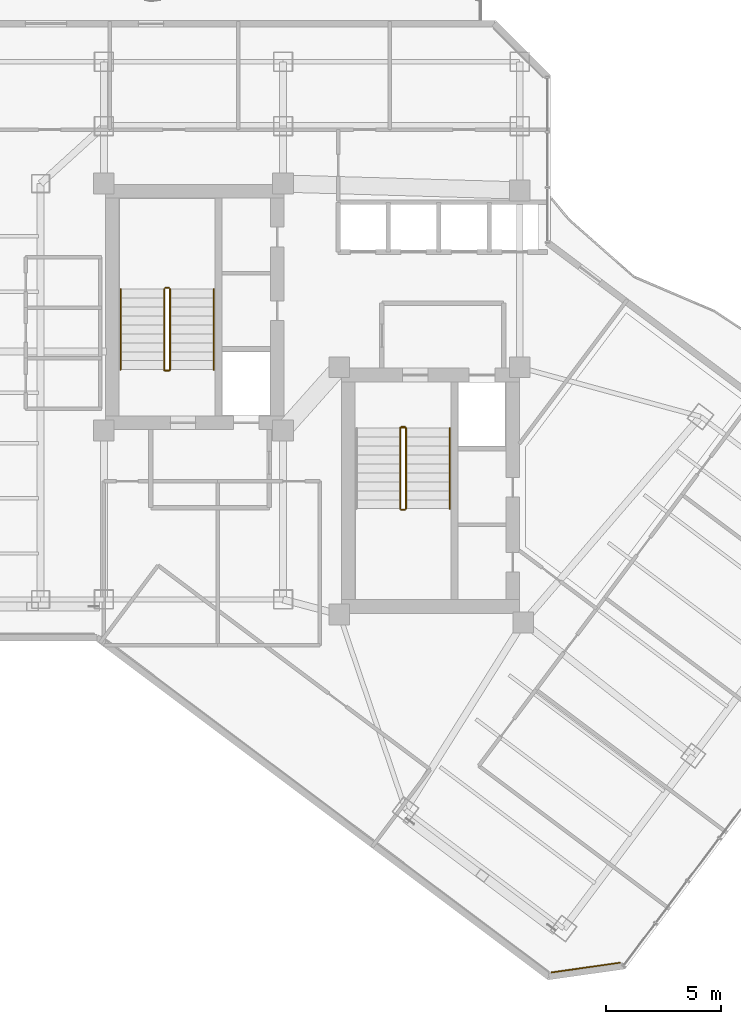
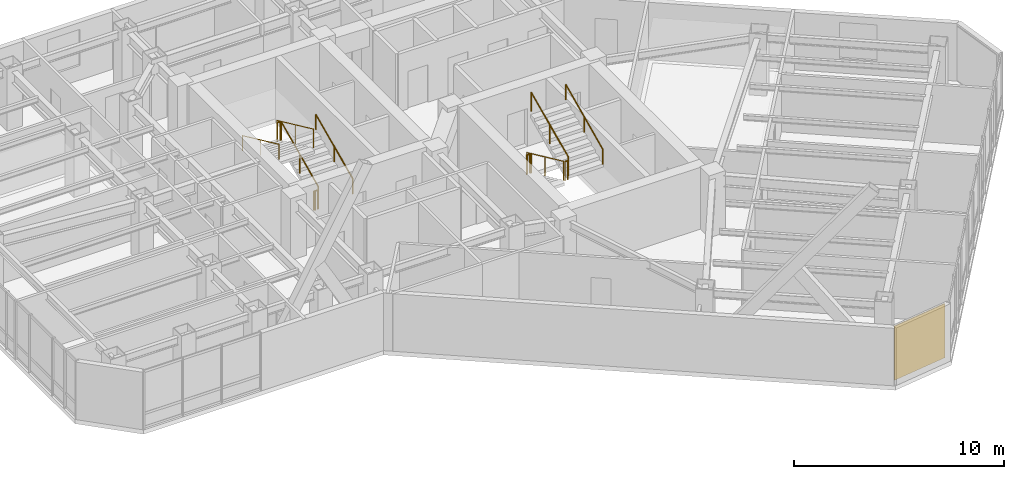
# One storey, part 26 of 27: 13 railings, 1 covering.
"""IFC4 building model written with IfcOpenShell, lengths in metres."""

from ifc_helpers import new_model, si_unit, direction, frame, origin, origin_2d, place, context, subcontext, project, spatial, rectangle, circle, extrude, material, layer, layer_set, type_object, element, save


model = new_model("IFC4")

# Units and contexts
model_context = context("Model", 3, precision=1e-05, world=origin(), true_north=direction((0.0, 1.0)))
body_context = subcontext(model_context, "Body", "Model", "MODEL_VIEW")
ifc_project = project(units=[si_unit("LENGTHUNIT", "METRE"), si_unit("AREAUNIT", "SQUARE_METRE"), si_unit("VOLUMEUNIT", "CUBIC_METRE"), si_unit("PLANEANGLEUNIT", "RADIAN"), si_unit("MASSUNIT", "GRAM", prefix="KILO")], contexts=[model_context])

# Site, building, storey
site_placement = place(None, origin())
site = spatial("IfcSite", under=ifc_project, at=site_placement, CompositionType="ELEMENT")
building_placement = place(site_placement, origin())
building = spatial("IfcBuilding", under=site, at=building_placement, Name="Hatsunagi Terrace Concourse", CompositionType="ELEMENT")
storey_placement = place(building_placement, frame((0.0, 0.0, 145.64990234375)))
storey = spatial("IfcBuildingStorey", under=building, at=storey_placement, Name="L38", CompositionType="ELEMENT", Elevation=145.64990234375)

# Railings
ifc_material_1 = material(Name="Stainless steel", Category="steel")
ifc_layer_1 = layer(ifc_material_1, 0.044921875)
ifc_layer_set_1 = layer_set([ifc_layer_1], Name="StairPitchHandrail_Tower2000")
railing_type_1 = type_object("IfcRailingType", Name="StairPitchHandrail_Tower2000", PredefinedType="HANDRAIL", material=ifc_layer_set_1)
railing_1_placement = place(storey_placement, frame((30.330078125, 35.199951171875, 0.18017578125)))
element("IfcRailing", 1, at=railing_1_placement, inside=storey, type_object=railing_type_1, Name="L38 ST-A stair handrail 1", PredefinedType="HANDRAIL", context=body_context, shape_type="SweptSolid", body=[
    extrude(circle(Radius=0.02392578125, at=origin_2d()), frame((0.0, 0.0, 0.8759765625), z_axis=(0.0, 0.907972323039, 0.419030142823), x_axis=(-1.0, 0.0, 0.0)), (0.0, 0.0, 1.0), 3.86572265625),
    extrude(circle(Radius=0.02099609375, at=origin_2d()), origin(), (0.0, 0.0, 1.0), 0.851806640625),
    extrude(circle(Radius=0.02099609375, at=origin_2d()), frame((0.0, 1.7548828125, 0.81005859375)), (0.0, 0.0, 1.0), 0.851806640625),
    extrude(circle(Radius=0.02099609375, at=origin_2d()), frame((0.0, 3.510009765625, 1.619873046875)), (0.0, 0.0, 1.0), 0.851806640625),
])
railing_2_placement = place(storey_placement, frame((26.280029296875, 38.7099609375, 1.97998046875)))
element("IfcRailing", 2, at=railing_2_placement, inside=storey, type_object=railing_type_1, Name="L38 ST-A stair handrail 2", PredefinedType="HANDRAIL", context=body_context, shape_type="SweptSolid", body=[
    extrude(circle(Radius=0.02392578125, at=origin_2d()), frame((0.0, 0.0, 0.8759765625), z_axis=(0.0, -0.907948293929, 0.419082206198), x_axis=(1.0, 0.0, 0.0)), (0.0, 0.0, 1.0), 3.865966796875),
    extrude(circle(Radius=0.02099609375, at=origin_2d()), origin(), (0.0, 0.0, 1.0), 0.851806640625),
    extrude(circle(Radius=0.02099609375, at=origin_2d()), frame((0.0, -1.7548828125, 0.81005859375)), (0.0, 0.0, 1.0), 0.851806640625),
    extrude(circle(Radius=0.02099609375, at=origin_2d()), frame((0.0, -3.510009765625, 1.6201171875)), (0.0, 0.0, 1.0), 0.851806640625),
])
railing_3_placement = place(storey_placement, frame((40.60009765625, 29.14990234375, 1.97998046875)))
element("IfcRailing", 3, at=railing_3_placement, inside=storey, type_object=railing_type_1, Name="L38 ST-B stair handrail 2", PredefinedType="HANDRAIL", context=body_context, shape_type="SweptSolid", body=[
    extrude(circle(Radius=0.02392578125, at=origin_2d()), frame((0.0, 0.0, 0.8759765625), z_axis=(0.0, 0.907948293929, 0.419082206198), x_axis=(-1.0, 0.0, 0.0)), (0.0, 0.0, 1.0), 3.865966796875),
    extrude(circle(Radius=0.02099609375, at=origin_2d()), origin(), (0.0, 0.0, 1.0), 0.851806640625),
    extrude(circle(Radius=0.02099609375, at=origin_2d()), frame((0.0, 1.7548828125, 0.81005859375)), (0.0, 0.0, 1.0), 0.851806640625),
    extrude(circle(Radius=0.02099609375, at=origin_2d()), frame((0.0, 3.510009765625, 1.6201171875)), (0.0, 0.0, 1.0), 0.851806640625),
])
ifc_material_2 = material(Name="Stainless steel", Category="steel")
ifc_layer_2 = layer(ifc_material_2, 0.06005859375)
ifc_layer_set_2 = layer_set([ifc_layer_2], Name="StairWellGuard_Tower2000")
railing_type_2 = type_object("IfcRailingType", Name="StairWellGuard_Tower2000", PredefinedType="BALUSTRADE", material=ifc_layer_set_2)
railing_4_placement = place(storey_placement, frame((28.429931640625, 35.199951171875, 0.18017578125)))
element("IfcRailing", 4, at=railing_4_placement, inside=storey, type_object=railing_type_2, Name="L38 ST-A stair guard 1", PredefinedType="BALUSTRADE", context=body_context, shape_type="SweptSolid", body=[
    extrude(circle(Radius=0.02392578125, at=origin_2d()), frame((0.0, 0.0, 1.09619140625), z_axis=(0.0, 0.907972323039, 0.419030142823), x_axis=(-1.0, 0.0, 0.0)), (0.0, 0.0, 1.0), 3.86572265625),
    extrude(circle(Radius=0.02099609375, at=origin_2d()), origin(), (0.0, 0.0, 1.0), 1.072021484375),
    extrude(circle(Radius=0.02099609375, at=origin_2d()), frame((0.0, 1.7548828125, 0.81005859375)), (0.0, 0.0, 1.0), 1.072021484375),
    extrude(circle(Radius=0.02099609375, at=origin_2d()), frame((0.0, 3.510009765625, 1.619873046875)), (0.0, 0.0, 1.0), 1.072021484375),
])
railing_5_placement = place(storey_placement, frame((28.3798828125, 38.760009765625, 1.800048828125)))
element("IfcRailing", 5, at=railing_5_placement, inside=storey, type_object=railing_type_2, Name="L38 ST-A stair guard 2", PredefinedType="BALUSTRADE", context=body_context, shape_type="SweptSolid", body=[
    extrude(circle(Radius=0.02392578125, at=origin_2d()), frame((0.0, 0.0, 1.09619140625), z_axis=(-1.0, 0.0, 0.0), x_axis=(0.0, -1.0, 0.0)), (0.0, 0.0, 1.0), 0.14990234375),
    extrude(circle(Radius=0.02099609375, at=origin_2d()), origin(), (0.0, 0.0, 1.0), 1.072021484375),
    extrude(circle(Radius=0.02099609375, at=origin_2d()), frame((-0.14990234375, 0.0, 0.0)), (0.0, 0.0, 1.0), 1.072021484375),
])
railing_6_placement = place(storey_placement, frame((28.179931640625, 38.7099609375, 1.97998046875)))
element("IfcRailing", 6, at=railing_6_placement, inside=storey, type_object=railing_type_2, Name="L38 ST-A stair guard 3", PredefinedType="BALUSTRADE", context=body_context, shape_type="SweptSolid", body=[
    extrude(circle(Radius=0.02392578125, at=origin_2d()), frame((0.0, 0.0, 1.09619140625), z_axis=(0.0, -0.907948293929, 0.419082206198), x_axis=(1.0, 0.0, 0.0)), (0.0, 0.0, 1.0), 3.865966796875),
    extrude(circle(Radius=0.02099609375, at=origin_2d()), origin(), (0.0, 0.0, 1.0), 1.072021484375),
    extrude(circle(Radius=0.02099609375, at=origin_2d()), frame((0.0, -1.7548828125, 0.81005859375)), (0.0, 0.0, 1.0), 1.072021484375),
    extrude(circle(Radius=0.02099609375, at=origin_2d()), frame((0.0, -3.510009765625, 1.6201171875)), (0.0, 0.0, 1.0), 1.072021484375),
])
railing_7_placement = place(storey_placement, frame((28.3798828125, 35.14990234375, 0.0)))
element("IfcRailing", 7, at=railing_7_placement, inside=storey, type_object=railing_type_2, Name="L38 ST-A stair guard 4", PredefinedType="BALUSTRADE", context=body_context, shape_type="SweptSolid", body=[
    extrude(circle(Radius=0.02392578125, at=origin_2d()), frame((0.0, 0.0, 1.09619140625), z_axis=(-1.0, 0.0, 0.0), x_axis=(0.0, -1.0, 0.0)), (0.0, 0.0, 1.0), 0.14990234375),
    extrude(circle(Radius=0.02099609375, at=origin_2d()), origin(), (0.0, 0.0, 1.0), 1.072021484375),
    extrude(circle(Radius=0.02099609375, at=origin_2d()), frame((-0.14990234375, 0.0, 0.0)), (0.0, 0.0, 1.0), 1.072021484375),
])
railing_8_placement = place(storey_placement, frame((38.449951171875, 32.659912109375, 0.18017578125)))
element("IfcRailing", 8, at=railing_8_placement, inside=storey, type_object=railing_type_2, Name="L38 ST-B stair guard 1", PredefinedType="BALUSTRADE", context=body_context, shape_type="SweptSolid", body=[
    extrude(circle(Radius=0.02392578125, at=origin_2d()), frame((0.0, 0.0, 1.09619140625), z_axis=(0.0, -0.907972323039, 0.419030142823), x_axis=(1.0, 0.0, 0.0)), (0.0, 0.0, 1.0), 3.86572265625),
    extrude(circle(Radius=0.02099609375, at=origin_2d()), origin(), (0.0, 0.0, 1.0), 1.072021484375),
    extrude(circle(Radius=0.02099609375, at=origin_2d()), frame((0.0, -1.7548828125, 0.81005859375)), (0.0, 0.0, 1.0), 1.072021484375),
    extrude(circle(Radius=0.02099609375, at=origin_2d()), frame((0.0, -3.510009765625, 1.619873046875)), (0.0, 0.0, 1.0), 1.072021484375),
])
railing_9_placement = place(storey_placement, frame((38.5, 29.10009765625, 1.800048828125)))
element("IfcRailing", 9, at=railing_9_placement, inside=storey, type_object=railing_type_2, Name="L38 ST-B stair guard 2", PredefinedType="BALUSTRADE", context=body_context, shape_type="SweptSolid", body=[
    extrude(circle(Radius=0.02392578125, at=origin_2d()), frame((0.0, 0.0, 1.09619140625), z_axis=(1.0, 0.0, 0.0), x_axis=(0.0, 1.0, 0.0)), (0.0, 0.0, 1.0), 0.14990234375),
    extrude(circle(Radius=0.02099609375, at=origin_2d()), origin(), (0.0, 0.0, 1.0), 1.072021484375),
    extrude(circle(Radius=0.02099609375, at=origin_2d()), frame((0.14990234375, 0.0, 0.0)), (0.0, 0.0, 1.0), 1.072021484375),
])
railing_10_placement = place(storey_placement, frame((38.699951171875, 29.14990234375, 1.97998046875)))
element("IfcRailing", 10, at=railing_10_placement, inside=storey, type_object=railing_type_2, Name="L38 ST-B stair guard 3", PredefinedType="BALUSTRADE", context=body_context, shape_type="SweptSolid", body=[
    extrude(circle(Radius=0.02392578125, at=origin_2d()), frame((0.0, 0.0, 1.09619140625), z_axis=(0.0, 0.907948293929, 0.419082206198), x_axis=(-1.0, 0.0, 0.0)), (0.0, 0.0, 1.0), 3.865966796875),
    extrude(circle(Radius=0.02099609375, at=origin_2d()), origin(), (0.0, 0.0, 1.0), 1.072021484375),
    extrude(circle(Radius=0.02099609375, at=origin_2d()), frame((0.0, 1.7548828125, 0.81005859375)), (0.0, 0.0, 1.0), 1.072021484375),
    extrude(circle(Radius=0.02099609375, at=origin_2d()), frame((0.0, 3.510009765625, 1.6201171875)), (0.0, 0.0, 1.0), 1.072021484375),
])
railing_11_placement = place(storey_placement, frame((38.5, 32.7099609375, 0.0)))
element("IfcRailing", 11, at=railing_11_placement, inside=storey, type_object=railing_type_2, Name="L38 ST-B stair guard 4", PredefinedType="BALUSTRADE", context=body_context, shape_type="SweptSolid", body=[
    extrude(circle(Radius=0.02392578125, at=origin_2d()), frame((0.0, 0.0, 1.09619140625), z_axis=(1.0, 0.0, 0.0), x_axis=(0.0, 1.0, 0.0)), (0.0, 0.0, 1.0), 0.14990234375),
    extrude(circle(Radius=0.02099609375, at=origin_2d()), origin(), (0.0, 0.0, 1.0), 1.072021484375),
    extrude(circle(Radius=0.02099609375, at=origin_2d()), frame((0.14990234375, 0.0, 0.0)), (0.0, 0.0, 1.0), 1.072021484375),
])
ifc_material_3 = material(Name="Stainless Steel SUS316 Post-and-Rail Guard", Category="steel")
ifc_layer_3 = layer(ifc_material_3, 0.080078125)
ifc_layer_set_3 = layer_set([ifc_layer_3], Name="TerracePlantedGuardRail_1200")
railing_type_3 = type_object("IfcRailingType", Name="TerracePlantedGuardRail_1200", PredefinedType="GUARDRAIL", material=ifc_layer_set_3)
for number, where, name in (
    (12, (28.179931640625, 35.179931640625, 0.0), "Stair ST-A Well Closure Guard L38"),
    (13, (38.449951171875, 32.679931640625, 0.0), "Stair ST-B Well Closure Guard L38"),
):
    element("IfcRailing", number, at=place(storey_placement, frame(where)), inside=storey, type_object=railing_type_3, Name=name, PredefinedType="GUARDRAIL", context=body_context, shape_type="SweptSolid", body=[
        extrude(circle(Radius=0.02392578125, at=origin_2d()), frame((0.0, 0.0, 1.09619140625), z_axis=(1.0, 0.0, 0.0), x_axis=(0.0, 1.0, 0.0)), (0.0, 0.0, 1.0), 0.25),
        extrude(circle(Radius=0.02099609375, at=origin_2d()), origin(), (0.0, 0.0, 1.0), 1.072021484375),
        extrude(circle(Radius=0.02099609375, at=origin_2d()), frame((0.25, 0.0, 0.0)), (0.0, 0.0, 1.0), 1.072021484375),
    ])

# Covering
ifc_material_4 = material(Name="Unglazed Warm Terracotta Rainscreen Tile", Category="masonry")
ifc_layer_4 = layer(ifc_material_4, 0.044921875)
ifc_layer_set_4 = layer_set([ifc_layer_4], Name="TerracottaRainscreenCladding_45")
covering_type = type_object("IfcCoveringType", Name="TerracottaRainscreenCladding_45", PredefinedType="CLADDING", material=ifc_layer_set_4)
covering_placement = place(storey_placement, frame((46.51806640625, 9.178955078125, 0.10009765625), z_axis=(0.0, 0.0, 1.0), x_axis=(-0.989973920543, -0.141250262458, 0.0)))
element("IfcCovering", 14, at=covering_placement, inside=storey, type_object=covering_type, Name="Terracotta Rainscreen Cladding L38-04", PredefinedType="CLADDING", context=body_context, shape_type="SweptSolid", body=[
    extrude(rectangle(XDim=3.0380859375, YDim=0.044921875, at=origin_2d()), origin(), (0.0, 0.0, 1.0), 3.14990234375),
])

save(model, "model.ifc")
